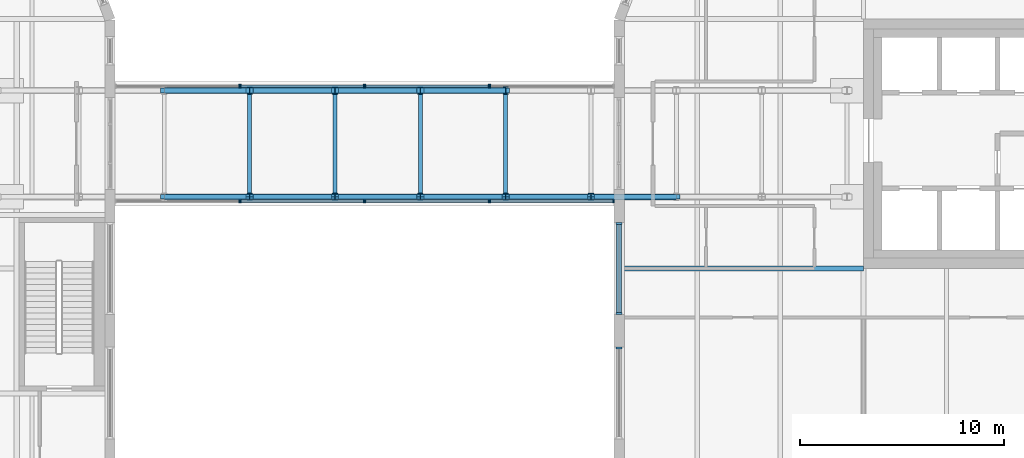
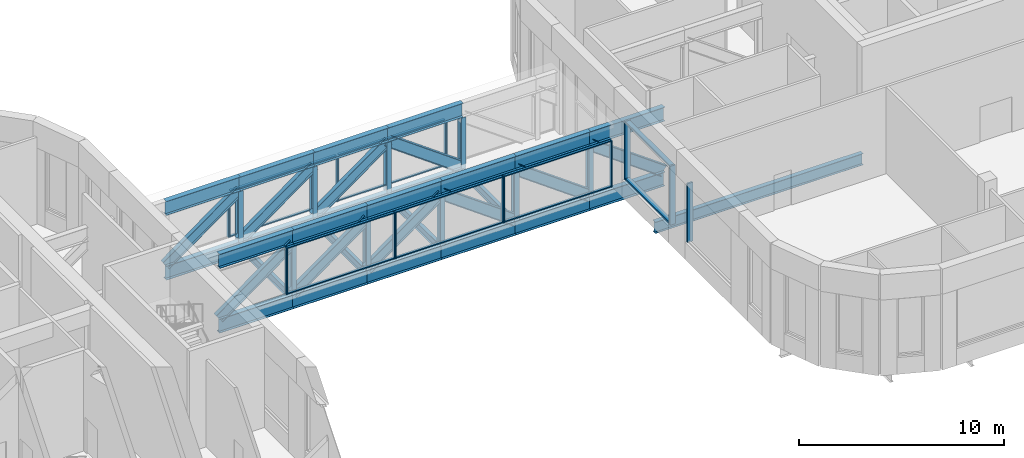
# One storey, part 10 of 36: 47 members, 25 beams, 10 elements without a shape of their own.
"""IFC4 building model written with IfcOpenShell, lengths in metres."""

from ifc_helpers import new_model, si_unit, direction, frame, origin, origin_2d, place, context, subcontext, project, spatial, rectangle, i_section, extrude, material, material_profile, profile_set, type_object, element, aggregate, save


model = new_model("IFC4")

# Units and contexts
model_context = context("Model", 3, precision=1e-05, world=origin(), true_north=direction((0.0, 1.0)))
body_context = subcontext(model_context, "Body", "Model", "MODEL_VIEW")
ifc_project = project(units=[si_unit("LENGTHUNIT", "METRE"), si_unit("AREAUNIT", "SQUARE_METRE"), si_unit("VOLUMEUNIT", "CUBIC_METRE"), si_unit("PLANEANGLEUNIT", "RADIAN"), si_unit("MASSUNIT", "GRAM", prefix="KILO")], contexts=[model_context])

# Site, building, storey
site_placement = place(None, origin())
site = spatial("IfcSite", under=ifc_project, at=site_placement, CompositionType="ELEMENT")
building_placement = place(site_placement, origin())
building = spatial("IfcBuilding", under=site, at=building_placement, Name="Tessera Gate Towers", CompositionType="ELEMENT")
storey_placement = place(building_placement, frame((0.0, 0.0, 106.60009765625)))
storey = spatial("IfcBuildingStorey", under=building, at=storey_placement, Name="L26", CompositionType="ELEMENT", Elevation=106.60009765625)

# Members
ifc_material_1 = material(Name="Steel 350W", Category="steel")
ifc_material_profile_1 = material_profile(ifc_material_1, i_section(OverallWidth=0.22998046875, OverallDepth=0.616943359375, WebThickness=0.01318359375, FlangeThickness=0.022216796875, at=origin_2d()), Name="W610x140")
ifc_profile_set_1 = profile_set([ifc_material_profile_1], Name="Steel 350W")
member_type_1 = type_object("IfcMemberType", Name="BRIDGE BRACE W610x140", PredefinedType="BRACE", material=ifc_profile_set_1)
for number, where, z_axis, x_axis, name in (
    (1, (63.39794921875, 40.10009765625, -0.25), (0.810374241265, 0.0, 0.585912612165), (0.0, 1.0, 0.0), "BR2 bridge truss G1 brace D3"),
    (2, (67.5732421875, 40.10009765625, -0.25), (0.810374241265, 0.0, 0.585912612165), (0.0, 1.0, 0.0), "BR2 bridge truss G1 brace D4"),
):
    element("IfcMember", number, at=place(storey_placement, frame(where, z_axis=z_axis, x_axis=x_axis)), inside=storey, type_object=member_type_1, Name=name, PredefinedType="BRACE", context=body_context, shape_type="SweptSolid", body=[
        extrude(i_section(OverallWidth=0.22998046875, OverallDepth=0.616943359375, WebThickness=0.01318359375, FlangeThickness=0.022216796875, at=origin_2d()), origin(), (0.0, 0.0, 1.0), 5.15234375),
    ])
member_1_placement = place(storey_placement, frame((71.74853515625, 40.10009765625, -0.25), z_axis=(0.810357973442, 0.0, 0.585935111491), x_axis=(0.0, 1.0, 0.0)))
element("IfcMember", 3, at=member_1_placement, inside=storey, type_object=member_type_1, Name="BR2 bridge truss G1 brace D5", PredefinedType="BRACE", context=body_context, shape_type="SweptSolid", body=[
    extrude(i_section(OverallWidth=0.22998046875, OverallDepth=0.616943359375, WebThickness=0.01318359375, FlangeThickness=0.022216796875, at=origin_2d()), origin(), (0.0, 0.0, 1.0), 5.152099609375),
])
member_2_placement = place(storey_placement, frame((80.09912109375, 40.10009765625, -0.25), z_axis=(-0.810390507214, 0.0, 0.585890114115), x_axis=(0.0, -1.0, 0.0)))
element("IfcMember", 4, at=member_2_placement, inside=storey, type_object=member_type_1, Name="BR2 bridge truss G1 brace D6", PredefinedType="BRACE", context=body_context, shape_type="SweptSolid", body=[
    extrude(i_section(OverallWidth=0.22998046875, OverallDepth=0.616943359375, WebThickness=0.01318359375, FlangeThickness=0.022216796875, at=origin_2d()), origin(), (0.0, 0.0, 1.0), 5.152587890625),
])
member_3_placement = place(storey_placement, frame((84.274169921875, 40.10009765625, -0.25), z_axis=(-0.810357973442, 0.0, 0.585935111491), x_axis=(0.0, -1.0, 0.0)))
element("IfcMember", 5, at=member_3_placement, inside=storey, type_object=member_type_1, Name="BR2 bridge truss G1 brace D7", PredefinedType="BRACE", context=body_context, shape_type="SweptSolid", body=[
    extrude(i_section(OverallWidth=0.22998046875, OverallDepth=0.616943359375, WebThickness=0.01318359375, FlangeThickness=0.022216796875, at=origin_2d()), origin(), (0.0, 0.0, 1.0), 5.152099609375),
])
for number, where, z_axis, x_axis, name in (
    (6, (88.449462890625, 40.10009765625, -0.25), (-0.810374241265, 0.0, 0.585912612165), (0.0, -1.0, 0.0), "BR2 bridge truss G1 brace D8"),
    (7, (63.39794921875, 45.300048828125, -0.25), (0.810374241265, 0.0, 0.585912612165), (0.0, 1.0, 0.0), "BR2 bridge truss G2 brace D3"),
    (8, (67.5732421875, 45.300048828125, -0.25), (0.810374241265, 0.0, 0.585912612165), (0.0, 1.0, 0.0), "BR2 bridge truss G2 brace D4"),
):
    element("IfcMember", number, at=place(storey_placement, frame(where, z_axis=z_axis, x_axis=x_axis)), inside=storey, type_object=member_type_1, Name=name, PredefinedType="BRACE", context=body_context, shape_type="SweptSolid", body=[
        extrude(i_section(OverallWidth=0.22998046875, OverallDepth=0.616943359375, WebThickness=0.01318359375, FlangeThickness=0.022216796875, at=origin_2d()), origin(), (0.0, 0.0, 1.0), 5.15234375),
    ])
member_4_placement = place(storey_placement, frame((71.74853515625, 45.300048828125, -0.25), z_axis=(0.810357973442, 0.0, 0.585935111491), x_axis=(0.0, 1.0, 0.0)))
element("IfcMember", 9, at=member_4_placement, inside=storey, type_object=member_type_1, Name="BR2 bridge truss G2 brace D5", PredefinedType="BRACE", context=body_context, shape_type="SweptSolid", body=[
    extrude(i_section(OverallWidth=0.22998046875, OverallDepth=0.616943359375, WebThickness=0.01318359375, FlangeThickness=0.022216796875, at=origin_2d()), origin(), (0.0, 0.0, 1.0), 5.152099609375),
])
member_5_placement = place(storey_placement, frame((80.09912109375, 45.300048828125, -0.25), z_axis=(-0.810390507214, 0.0, 0.585890114115), x_axis=(0.0, -1.0, 0.0)))
element("IfcMember", 10, at=member_5_placement, inside=storey, type_object=member_type_1, Name="BR2 bridge truss G2 brace D6", PredefinedType="BRACE", context=body_context, shape_type="SweptSolid", body=[
    extrude(i_section(OverallWidth=0.22998046875, OverallDepth=0.616943359375, WebThickness=0.01318359375, FlangeThickness=0.022216796875, at=origin_2d()), origin(), (0.0, 0.0, 1.0), 5.152587890625),
])

# Beams
ifc_material_2 = material(Name="Steel 350W", Category="steel")
ifc_material_profile_2 = material_profile(ifc_material_2, i_section(OverallWidth=0.2919921875, OverallDepth=0.8349609375, WebThickness=0.013916015625, FlangeThickness=0.018798828125, at=origin_2d()), Name="W840x176")
ifc_profile_set_2 = profile_set([ifc_material_profile_2], Name="Steel 350W")
beam_type_1 = type_object("IfcBeamType", Name="BRIDGE CHORD W840x176", PredefinedType="BEAM", material=ifc_profile_set_2)
for number, where, z_axis, x_axis, name in (
    (11, (63.39794921875, 40.10009765625, -0.66748046875), (1.0, 0.0, 0.0), (0.0, 1.0, 0.0), "BR2 bridge truss G1 bottom chord BC3"),
    (12, (63.39794921875, 40.10009765625, 3.1865234375), (1.0, 0.0, 0.0), (0.0, 1.0, 0.0), "BR2 bridge truss G1 top chord TC3"),
    (13, (67.5732421875, 40.10009765625, -0.66748046875), (1.0, 0.0, 0.0), (0.0, 1.0, 0.0), "BR2 bridge truss G1 bottom chord BC4"),
    (14, (67.5732421875, 40.10009765625, 3.1865234375), (1.0, 0.0, 0.0), (0.0, 1.0, 0.0), "BR2 bridge truss G1 top chord TC4"),
):
    element("IfcBeam", number, at=place(storey_placement, frame(where, z_axis=z_axis, x_axis=x_axis)), inside=storey, type_object=beam_type_1, Name=name, PredefinedType="BEAM", context=body_context, shape_type="SweptSolid", body=[
        extrude(i_section(OverallWidth=0.2919921875, OverallDepth=0.8349609375, WebThickness=0.013916015625, FlangeThickness=0.018798828125, at=origin_2d()), origin(), (0.0, 0.0, 1.0), 4.17529296875),
    ])
for number, where, z_axis, x_axis, name in (
    (15, (71.74853515625, 40.10009765625, -0.66748046875), (1.0, 0.0, 0.0), (0.0, 1.0, 0.0), "BR2 bridge truss G1 bottom chord BC5"),
    (16, (71.74853515625, 40.10009765625, 3.1865234375), (1.0, 0.0, 0.0), (0.0, 1.0, 0.0), "BR2 bridge truss G1 top chord TC5"),
):
    element("IfcBeam", number, at=place(storey_placement, frame(where, z_axis=z_axis, x_axis=x_axis)), inside=storey, type_object=beam_type_1, Name=name, PredefinedType="BEAM", context=body_context, shape_type="SweptSolid", body=[
        extrude(i_section(OverallWidth=0.2919921875, OverallDepth=0.8349609375, WebThickness=0.013916015625, FlangeThickness=0.018798828125, at=origin_2d()), origin(), (0.0, 0.0, 1.0), 4.175048828125),
    ])
for number, where, z_axis, x_axis, name in (
    (17, (75.923583984375, 40.10009765625, -0.66748046875), (1.0, 0.0, 0.0), (0.0, 1.0, 0.0), "BR2 bridge truss G1 bottom chord BC6"),
    (18, (75.923583984375, 40.10009765625, 3.1865234375), (1.0, 0.0, 0.0), (0.0, 1.0, 0.0), "BR2 bridge truss G1 top chord TC6"),
):
    element("IfcBeam", number, at=place(storey_placement, frame(where, z_axis=z_axis, x_axis=x_axis)), inside=storey, type_object=beam_type_1, Name=name, PredefinedType="BEAM", context=body_context, shape_type="SweptSolid", body=[
        extrude(i_section(OverallWidth=0.2919921875, OverallDepth=0.8349609375, WebThickness=0.013916015625, FlangeThickness=0.018798828125, at=origin_2d()), origin(), (0.0, 0.0, 1.0), 4.175537109375),
    ])
for number, where, z_axis, x_axis, name in (
    (19, (80.09912109375, 40.10009765625, -0.66748046875), (1.0, 0.0, 0.0), (0.0, 1.0, 0.0), "BR2 bridge truss G1 bottom chord BC7"),
    (20, (80.09912109375, 40.10009765625, 3.1865234375), (1.0, 0.0, 0.0), (0.0, 1.0, 0.0), "BR2 bridge truss G1 top chord TC7"),
):
    element("IfcBeam", number, at=place(storey_placement, frame(where, z_axis=z_axis, x_axis=x_axis)), inside=storey, type_object=beam_type_1, Name=name, PredefinedType="BEAM", context=body_context, shape_type="SweptSolid", body=[
        extrude(i_section(OverallWidth=0.2919921875, OverallDepth=0.8349609375, WebThickness=0.013916015625, FlangeThickness=0.018798828125, at=origin_2d()), origin(), (0.0, 0.0, 1.0), 4.175048828125),
    ])
for number, where, z_axis, x_axis, name in (
    (21, (84.274169921875, 40.10009765625, -0.66748046875), (1.0, 0.0, 0.0), (0.0, 1.0, 0.0), "BR2 bridge truss G1 bottom chord BC8"),
    (22, (84.274169921875, 40.10009765625, 3.1865234375), (1.0, 0.0, 0.0), (0.0, 1.0, 0.0), "BR2 bridge truss G1 top chord TC8"),
    (23, (63.39794921875, 45.300048828125, -0.66748046875), (1.0, 0.0, 0.0), (0.0, 1.0, 0.0), "BR2 bridge truss G2 bottom chord BC3"),
    (24, (63.39794921875, 45.300048828125, 3.1865234375), (1.0, 0.0, 0.0), (0.0, 1.0, 0.0), "BR2 bridge truss G2 top chord TC3"),
    (25, (67.5732421875, 45.300048828125, -0.66748046875), (1.0, 0.0, 0.0), (0.0, 1.0, 0.0), "BR2 bridge truss G2 bottom chord BC4"),
    (26, (67.5732421875, 45.300048828125, 3.1865234375), (1.0, 0.0, 0.0), (0.0, 1.0, 0.0), "BR2 bridge truss G2 top chord TC4"),
):
    element("IfcBeam", number, at=place(storey_placement, frame(where, z_axis=z_axis, x_axis=x_axis)), inside=storey, type_object=beam_type_1, Name=name, PredefinedType="BEAM", context=body_context, shape_type="SweptSolid", body=[
        extrude(i_section(OverallWidth=0.2919921875, OverallDepth=0.8349609375, WebThickness=0.013916015625, FlangeThickness=0.018798828125, at=origin_2d()), origin(), (0.0, 0.0, 1.0), 4.17529296875),
    ])
for number, where, z_axis, x_axis, name in (
    (27, (71.74853515625, 45.300048828125, -0.66748046875), (1.0, 0.0, 0.0), (0.0, 1.0, 0.0), "BR2 bridge truss G2 bottom chord BC5"),
    (28, (71.74853515625, 45.300048828125, 3.1865234375), (1.0, 0.0, 0.0), (0.0, 1.0, 0.0), "BR2 bridge truss G2 top chord TC5"),
):
    element("IfcBeam", number, at=place(storey_placement, frame(where, z_axis=z_axis, x_axis=x_axis)), inside=storey, type_object=beam_type_1, Name=name, PredefinedType="BEAM", context=body_context, shape_type="SweptSolid", body=[
        extrude(i_section(OverallWidth=0.2919921875, OverallDepth=0.8349609375, WebThickness=0.013916015625, FlangeThickness=0.018798828125, at=origin_2d()), origin(), (0.0, 0.0, 1.0), 4.175048828125),
    ])
for number, where, z_axis, x_axis, name in (
    (29, (75.923583984375, 45.300048828125, -0.66748046875), (1.0, 0.0, 0.0), (0.0, 1.0, 0.0), "BR2 bridge truss G2 bottom chord BC6"),
    (30, (75.923583984375, 45.300048828125, 3.1865234375), (1.0, 0.0, 0.0), (0.0, 1.0, 0.0), "BR2 bridge truss G2 top chord TC6"),
):
    element("IfcBeam", number, at=place(storey_placement, frame(where, z_axis=z_axis, x_axis=x_axis)), inside=storey, type_object=beam_type_1, Name=name, PredefinedType="BEAM", context=body_context, shape_type="SweptSolid", body=[
        extrude(i_section(OverallWidth=0.2919921875, OverallDepth=0.8349609375, WebThickness=0.013916015625, FlangeThickness=0.018798828125, at=origin_2d()), origin(), (0.0, 0.0, 1.0), 4.175537109375),
    ])
ifc_material_3 = material(Name="Steel 350W", Category="steel")
ifc_material_profile_3 = material_profile(ifc_material_3, i_section(OverallWidth=0.193115234375, OverallDepth=0.466064453125, WebThickness=0.011474609375, FlangeThickness=0.01904296875, at=origin_2d()), Name="W460x97")
ifc_profile_set_3 = profile_set([ifc_material_profile_3], Name="Steel 350W")
beam_type_2 = type_object("IfcBeamType", Name="BRIDGE CROSS BEAM W460x97", PredefinedType="BEAM", material=ifc_profile_set_3)
for number, where, z_axis, x_axis, name in (
    (31, (67.5732421875, 40.10693359375, -0.483154296875), (0.0, 1.0, 0.0), (-1.0, 0.0, 0.0), "BR2 bridge cross beam X3"),
    (32, (71.74853515625, 40.10693359375, -0.483154296875), (0.0, 1.0, 0.0), (-1.0, 0.0, 0.0), "BR2 bridge cross beam X4"),
    (33, (75.923583984375, 40.10693359375, -0.483154296875), (0.0, 1.0, 0.0), (-1.0, 0.0, 0.0), "BR2 bridge cross beam X5"),
    (34, (80.09912109375, 40.10693359375, -0.483154296875), (0.0, 1.0, 0.0), (-1.0, 0.0, 0.0), "BR2 bridge cross beam X6"),
):
    element("IfcBeam", number, at=place(storey_placement, frame(where, z_axis=z_axis, x_axis=x_axis)), inside=storey, type_object=beam_type_2, Name=name, PredefinedType="BEAM", context=body_context, shape_type="SweptSolid", body=[
        extrude(i_section(OverallWidth=0.193115234375, OverallDepth=0.466064453125, WebThickness=0.011474609375, FlangeThickness=0.01904296875, at=origin_2d()), origin(), (0.0, 0.0, 1.0), 5.18603515625),
    ])

# Members
ifc_material_4 = material(Name="Steel 350W", Category="steel")
ifc_material_profile_4 = material_profile(ifc_material_4, i_section(OverallWidth=0.2548828125, OverallDepth=0.35693359375, WebThickness=0.010498046875, FlangeThickness=0.018310546875, at=origin_2d()), Name="W360x101")
ifc_profile_set_4 = profile_set([ifc_material_profile_4], Name="Steel 350W")
member_type_2 = type_object("IfcMemberType", Name="BRIDGE POST W360x101", PredefinedType="POST", material=ifc_profile_set_4)
for number, where, z_axis, x_axis, name in (
    (35, (67.5732421875, 40.10009765625, -0.25), (0.0, 0.0, 1.0), (1.0, 0.0, 0.0), "BR2 bridge truss G1 post V3"),
    (36, (71.74853515625, 40.10009765625, -0.25), (0.0, 0.0, 1.0), (1.0, 0.0, 0.0), "BR2 bridge truss G1 post V4"),
    (37, (75.923583984375, 40.10009765625, -0.25), (0.0, 0.0, 1.0), (1.0, 0.0, 0.0), "BR2 bridge truss G1 post V5"),
    (38, (80.09912109375, 40.10009765625, -0.25), (0.0, 0.0, 1.0), (1.0, 0.0, 0.0), "BR2 bridge truss G1 post V6"),
    (39, (84.274169921875, 40.10009765625, -0.25), (0.0, 0.0, 1.0), (1.0, 0.0, 0.0), "BR2 bridge truss G1 post V7"),
    (40, (67.5732421875, 45.300048828125, -0.25), (0.0, 0.0, 1.0), (1.0, 0.0, 0.0), "BR2 bridge truss G2 post V3"),
    (41, (71.74853515625, 45.300048828125, -0.25), (0.0, 0.0, 1.0), (1.0, 0.0, 0.0), "BR2 bridge truss G2 post V4"),
    (42, (75.923583984375, 45.300048828125, -0.25), (0.0, 0.0, 1.0), (1.0, 0.0, 0.0), "BR2 bridge truss G2 post V5"),
    (43, (80.09912109375, 45.300048828125, -0.25), (0.0, 0.0, 1.0), (1.0, 0.0, 0.0), "BR2 bridge truss G2 post V6"),
):
    element("IfcMember", number, at=place(storey_placement, frame(where, z_axis=z_axis, x_axis=x_axis)), inside=storey, type_object=member_type_2, Name=name, PredefinedType="POST", context=body_context, shape_type="SweptSolid", body=[
        extrude(i_section(OverallWidth=0.2548828125, OverallDepth=0.35693359375, WebThickness=0.010498046875, FlangeThickness=0.018310546875, at=origin_2d()), origin(), (0.0, 0.0, 1.0), 3.018798828125),
    ])

# Beam
ifc_material_5 = material(Name="Steel 350W", Category="steel")
ifc_material_profile_5 = material_profile(ifc_material_5, i_section(OverallWidth=0.2529296875, OverallDepth=0.677978515625, WebThickness=0.01171875, FlangeThickness=0.016357421875, at=origin_2d()), Name="W690x125")
ifc_profile_set_5 = profile_set([ifc_material_profile_5], Name="Steel 350W")
beam_type_3 = type_object("IfcBeamType", Name="FLOOR GIRDER W690x125", PredefinedType="BEAM", material=ifc_profile_set_5)
beam_placement = place(storey_placement, frame((85.89892578125, 36.60009765625, -0.589111328125), z_axis=(1.0, 0.0, 0.0), x_axis=(0.0, 1.0, 0.0)))
element("IfcBeam", 44, at=beam_placement, inside=storey, type_object=beam_type_3, Name="T2-GD-L26-3482", PredefinedType="BEAM", context=body_context, shape_type="SweptSolid", body=[
    extrude(i_section(OverallWidth=0.2529296875, OverallDepth=0.677978515625, WebThickness=0.01171875, FlangeThickness=0.016357421875, at=origin_2d()), origin(), (0.0, 0.0, 1.0), 11.7001953125),
])

# Curtain wall, members
ifc_material_6 = material(Name="Aluminium frame", Category="aluminium")
curtain_wall_type_1 = type_object("IfcCurtainWallType", Name="CW-S3 amenity floor glazing", PredefinedType="NOTDEFINED", material=ifc_material_6)
curtain_wall_1_placement = place(storey_placement, origin())
curtain_wall_1 = element("IfcCurtainWall", 45, at=curtain_wall_1_placement, inside=storey, type_object=curtain_wall_type_1, Name="Curtain wall amenity floor glazing 0141", PredefinedType="NOTDEFINED")
ifc_material_7 = material(Name="Aluminium frame", Category="aluminium")
ifc_material_profile_6 = material_profile(ifc_material_7, rectangle(XDim=0.10009765625, YDim=0.300048828125, at=origin_2d()), Name="AL 100x300")
ifc_profile_set_6 = profile_set([ifc_material_profile_6], Name="Aluminium frame")
member_type_3 = type_object("IfcMemberType", Name="MU-S3 mullion 100x300", PredefinedType="MULLION", material=ifc_profile_set_6)
member_6_placement = place(storey_placement, frame((85.64990234375, 38.800048828125, 1.0), z_axis=(0.0, 0.0, 1.0), x_axis=(0.0, -1.0, 0.0)))
member_6 = element("IfcMember", 46, at=member_6_placement, type_object=member_type_3, Name="T2-CW3-0141 mullion 1", PredefinedType="MULLION", context=body_context, shape_type="SweptSolid", body=[
    extrude(rectangle(XDim=0.10009765625, YDim=0.300048828125, at=origin_2d()), origin(), (0.0, 0.0, 1.0), 3.5),
])
member_7_placement = place(storey_placement, frame((85.64990234375, 34.39990234375, 1.0), z_axis=(0.0, 0.0, 1.0), x_axis=(0.0, -1.0, 0.0)))
member_7 = element("IfcMember", 47, at=member_7_placement, type_object=member_type_3, Name="T2-CW3-0141 mullion 2", PredefinedType="MULLION", context=body_context, shape_type="SweptSolid", body=[
    extrude(rectangle(XDim=0.10009765625, YDim=0.300048828125, at=origin_2d()), origin(), (0.0, 0.0, 1.0), 3.5),
])

# Curtain wall, member
curtain_wall_2_placement = place(storey_placement, origin())
curtain_wall_2 = element("IfcCurtainWall", 48, at=curtain_wall_2_placement, inside=storey, type_object=curtain_wall_type_1, Name="Curtain wall amenity floor glazing 0142", PredefinedType="NOTDEFINED")
member_8_placement = place(storey_placement, frame((85.64990234375, 32.699951171875, 1.0), z_axis=(0.0, 0.0, 1.0), x_axis=(0.0, -1.0, 0.0)))
member_8 = element("IfcMember", 49, at=member_8_placement, type_object=member_type_3, Name="T2-CW3-0142 mullion 1", PredefinedType="MULLION", context=body_context, shape_type="SweptSolid", body=[
    extrude(rectangle(XDim=0.10009765625, YDim=0.300048828125, at=origin_2d()), origin(), (0.0, 0.0, 1.0), 3.5),
])
aggregate(curtain_wall_2, [member_8])

ifc_material_8 = material(Name="Aluminium frame", Category="aluminium")
curtain_wall_type_2 = type_object("IfcCurtainWallType", Name="CW-S5 bridge enclosure", PredefinedType="NOTDEFINED", material=ifc_material_8)
curtain_wall_3_placement = place(storey_placement, origin())
curtain_wall_3 = element("IfcCurtainWall", 50, at=curtain_wall_3_placement, inside=storey, type_object=curtain_wall_type_2, Name="Curtain wall bridge enclosure 0226", PredefinedType="NOTDEFINED")
ifc_material_9 = material(Name="Aluminium frame", Category="aluminium")
ifc_material_profile_7 = material_profile(ifc_material_9, rectangle(XDim=0.06005859375, YDim=0.179931640625, at=origin_2d()), Name="AL 60x180")
ifc_profile_set_7 = profile_set([ifc_material_profile_7], Name="Aluminium frame")
member_type_4 = type_object("IfcMemberType", Name="MU-S5 mullion 60x180", PredefinedType="MULLION", material=ifc_profile_set_7)
member_9_placement = place(storey_placement, frame((67.070068359375, 39.89208984375, 0.0), z_axis=(0.0, 0.0, 1.0), x_axis=(1.0, 0.0, 0.0)))
member_9 = element("IfcMember", 51, at=member_9_placement, type_object=member_type_4, Name="BR2-CW5-0226 mullion 2", PredefinedType="MULLION", context=body_context, shape_type="SweptSolid", body=[
    extrude(rectangle(XDim=0.06005859375, YDim=0.179931640625, at=origin_2d()), origin(), (0.0, 0.0, 1.0), 2.768798828125),
])
aggregate(curtain_wall_3, [member_9])

# Curtain wall, members
curtain_wall_4_placement = place(storey_placement, origin())
curtain_wall_4 = element("IfcCurtainWall", 52, at=curtain_wall_4_placement, inside=storey, type_object=curtain_wall_type_2, Name="Curtain wall bridge enclosure 0227", PredefinedType="NOTDEFINED")
member_10_placement = place(storey_placement, frame((67.1298828125, 39.89208984375, 0.0), z_axis=(0.0, 0.0, 1.0), x_axis=(1.0, 0.0, 0.0)))
member_10 = element("IfcMember", 53, at=member_10_placement, type_object=member_type_4, Name="BR2-CW5-0227 mullion 1", PredefinedType="MULLION", context=body_context, shape_type="SweptSolid", body=[
    extrude(rectangle(XDim=0.06005859375, YDim=0.179931640625, at=origin_2d()), origin(), (0.0, 0.0, 1.0), 2.768798828125),
])
member_11_placement = place(storey_placement, frame((73.169921875, 39.89208984375, 0.0), z_axis=(0.0, 0.0, 1.0), x_axis=(1.0, 0.0, 0.0)))
member_11 = element("IfcMember", 54, at=member_11_placement, type_object=member_type_4, Name="BR2-CW5-0227 mullion 2", PredefinedType="MULLION", context=body_context, shape_type="SweptSolid", body=[
    extrude(rectangle(XDim=0.06005859375, YDim=0.179931640625, at=origin_2d()), origin(), (0.0, 0.0, 1.0), 2.768798828125),
])

curtain_wall_5_placement = place(storey_placement, origin())
curtain_wall_5 = element("IfcCurtainWall", 55, at=curtain_wall_5_placement, inside=storey, type_object=curtain_wall_type_2, Name="Curtain wall bridge enclosure 0228", PredefinedType="NOTDEFINED")
member_12_placement = place(storey_placement, frame((73.22998046875, 39.89208984375, 0.0), z_axis=(0.0, 0.0, 1.0), x_axis=(1.0, 0.0, 0.0)))
member_12 = element("IfcMember", 56, at=member_12_placement, type_object=member_type_4, Name="BR2-CW5-0228 mullion 1", PredefinedType="MULLION", context=body_context, shape_type="SweptSolid", body=[
    extrude(rectangle(XDim=0.06005859375, YDim=0.179931640625, at=origin_2d()), origin(), (0.0, 0.0, 1.0), 2.768798828125),
])
member_13_placement = place(storey_placement, frame((79.27001953125, 39.89208984375, 0.0), z_axis=(0.0, 0.0, 1.0), x_axis=(1.0, 0.0, 0.0)))
member_13 = element("IfcMember", 57, at=member_13_placement, type_object=member_type_4, Name="BR2-CW5-0228 mullion 2", PredefinedType="MULLION", context=body_context, shape_type="SweptSolid", body=[
    extrude(rectangle(XDim=0.06005859375, YDim=0.179931640625, at=origin_2d()), origin(), (0.0, 0.0, 1.0), 2.768798828125),
])

curtain_wall_6_placement = place(storey_placement, origin())
curtain_wall_6 = element("IfcCurtainWall", 58, at=curtain_wall_6_placement, inside=storey, type_object=curtain_wall_type_2, Name="Curtain wall bridge enclosure 0229", PredefinedType="NOTDEFINED")
member_14_placement = place(storey_placement, frame((79.330078125, 39.89208984375, 0.0), z_axis=(0.0, 0.0, 1.0), x_axis=(1.0, 0.0, 0.0)))
member_14 = element("IfcMember", 59, at=member_14_placement, type_object=member_type_4, Name="BR2-CW5-0229 mullion 1", PredefinedType="MULLION", context=body_context, shape_type="SweptSolid", body=[
    extrude(rectangle(XDim=0.06005859375, YDim=0.179931640625, at=origin_2d()), origin(), (0.0, 0.0, 1.0), 2.768798828125),
])
member_15_placement = place(storey_placement, frame((85.3701171875, 39.89208984375, 0.0), z_axis=(0.0, 0.0, 1.0), x_axis=(1.0, 0.0, 0.0)))
member_15 = element("IfcMember", 60, at=member_15_placement, type_object=member_type_4, Name="BR2-CW5-0229 mullion 2", PredefinedType="MULLION", context=body_context, shape_type="SweptSolid", body=[
    extrude(rectangle(XDim=0.06005859375, YDim=0.179931640625, at=origin_2d()), origin(), (0.0, 0.0, 1.0), 2.768798828125),
])

# Curtain wall, member
curtain_wall_7_placement = place(storey_placement, origin())
curtain_wall_7 = element("IfcCurtainWall", 61, at=curtain_wall_7_placement, inside=storey, type_object=curtain_wall_type_2, Name="Curtain wall bridge enclosure 0230", PredefinedType="NOTDEFINED")
member_16_placement = place(storey_placement, frame((67.070068359375, 45.508056640625, 0.0), z_axis=(0.0, 0.0, 1.0), x_axis=(1.0, 0.0, 0.0)))
member_16 = element("IfcMember", 62, at=member_16_placement, type_object=member_type_4, Name="BR2-CW5-0230 mullion 2", PredefinedType="MULLION", context=body_context, shape_type="SweptSolid", body=[
    extrude(rectangle(XDim=0.06005859375, YDim=0.179931640625, at=origin_2d()), origin(), (0.0, 0.0, 1.0), 2.768798828125),
])
aggregate(curtain_wall_7, [member_16])

# Curtain wall, members
curtain_wall_8_placement = place(storey_placement, origin())
curtain_wall_8 = element("IfcCurtainWall", 63, at=curtain_wall_8_placement, inside=storey, type_object=curtain_wall_type_2, Name="Curtain wall bridge enclosure 0231", PredefinedType="NOTDEFINED")
member_17_placement = place(storey_placement, frame((67.1298828125, 45.508056640625, 0.0), z_axis=(0.0, 0.0, 1.0), x_axis=(1.0, 0.0, 0.0)))
member_17 = element("IfcMember", 64, at=member_17_placement, type_object=member_type_4, Name="BR2-CW5-0231 mullion 1", PredefinedType="MULLION", context=body_context, shape_type="SweptSolid", body=[
    extrude(rectangle(XDim=0.06005859375, YDim=0.179931640625, at=origin_2d()), origin(), (0.0, 0.0, 1.0), 2.768798828125),
])
member_18_placement = place(storey_placement, frame((73.169921875, 45.508056640625, 0.0), z_axis=(0.0, 0.0, 1.0), x_axis=(1.0, 0.0, 0.0)))
member_18 = element("IfcMember", 65, at=member_18_placement, type_object=member_type_4, Name="BR2-CW5-0231 mullion 2", PredefinedType="MULLION", context=body_context, shape_type="SweptSolid", body=[
    extrude(rectangle(XDim=0.06005859375, YDim=0.179931640625, at=origin_2d()), origin(), (0.0, 0.0, 1.0), 2.768798828125),
])

curtain_wall_9_placement = place(storey_placement, origin())
curtain_wall_9 = element("IfcCurtainWall", 66, at=curtain_wall_9_placement, inside=storey, type_object=curtain_wall_type_2, Name="Curtain wall bridge enclosure 0232", PredefinedType="NOTDEFINED")
member_19_placement = place(storey_placement, frame((73.22998046875, 45.508056640625, 0.0), z_axis=(0.0, 0.0, 1.0), x_axis=(1.0, 0.0, 0.0)))
member_19 = element("IfcMember", 67, at=member_19_placement, type_object=member_type_4, Name="BR2-CW5-0232 mullion 1", PredefinedType="MULLION", context=body_context, shape_type="SweptSolid", body=[
    extrude(rectangle(XDim=0.06005859375, YDim=0.179931640625, at=origin_2d()), origin(), (0.0, 0.0, 1.0), 2.768798828125),
])
member_20_placement = place(storey_placement, frame((79.27001953125, 45.508056640625, 0.0), z_axis=(0.0, 0.0, 1.0), x_axis=(1.0, 0.0, 0.0)))
member_20 = element("IfcMember", 68, at=member_20_placement, type_object=member_type_4, Name="BR2-CW5-0232 mullion 2", PredefinedType="MULLION", context=body_context, shape_type="SweptSolid", body=[
    extrude(rectangle(XDim=0.06005859375, YDim=0.179931640625, at=origin_2d()), origin(), (0.0, 0.0, 1.0), 2.768798828125),
])

# Curtain wall, member
curtain_wall_10_placement = place(storey_placement, origin())
curtain_wall_10 = element("IfcCurtainWall", 69, at=curtain_wall_10_placement, inside=storey, type_object=curtain_wall_type_2, Name="Curtain wall bridge enclosure 0233", PredefinedType="NOTDEFINED")
member_21_placement = place(storey_placement, frame((79.330078125, 45.508056640625, 0.0), z_axis=(0.0, 0.0, 1.0), x_axis=(1.0, 0.0, 0.0)))
member_21 = element("IfcMember", 70, at=member_21_placement, type_object=member_type_4, Name="BR2-CW5-0233 mullion 1", PredefinedType="MULLION", context=body_context, shape_type="SweptSolid", body=[
    extrude(rectangle(XDim=0.06005859375, YDim=0.179931640625, at=origin_2d()), origin(), (0.0, 0.0, 1.0), 2.768798828125),
])
aggregate(curtain_wall_10, [member_21])

# Member
ifc_material_10 = material(Name="Aluminium frame", Category="aluminium")
ifc_material_profile_8 = material_profile(ifc_material_10, rectangle(XDim=0.25, YDim=0.10009765625, at=origin_2d()), Name="AL 100x250")
ifc_profile_set_8 = profile_set([ifc_material_profile_8], Name="Aluminium frame")
member_type_5 = type_object("IfcMemberType", Name="TR-S3 transom 100x250", PredefinedType="USERDEFINED", material=ifc_profile_set_8)
member_22_placement = place(storey_placement, frame((85.64990234375, 38.75, 1.0498046875), z_axis=(0.0, -1.0, 0.0), x_axis=(1.0, 0.0, 0.0)))
member_22 = element("IfcMember", 71, at=member_22_placement, type_object=member_type_5, Name="T2-CW3-0141 transom 1.1", ObjectType="TRANSOM", PredefinedType="USERDEFINED", context=body_context, shape_type="SweptSolid", body=[
    extrude(rectangle(XDim=0.25, YDim=0.10009765625, at=origin_2d()), origin(), (0.0, 0.0, 1.0), 4.300048828125),
])

member_23_placement = place(storey_placement, frame((85.64990234375, 38.75, 4.449951171875), z_axis=(0.0, -1.0, 0.0), x_axis=(1.0, 0.0, 0.0)))
member_23 = element("IfcMember", 72, at=member_23_placement, type_object=member_type_5, Name="T2-CW3-0141 transom 1.2", ObjectType="TRANSOM", PredefinedType="USERDEFINED", context=body_context, shape_type="SweptSolid", body=[
    extrude(rectangle(XDim=0.25, YDim=0.10009765625, at=origin_2d()), origin(), (0.0, 0.0, 1.0), 4.300048828125),
])

aggregate(curtain_wall_1, [member_6, member_7, member_22, member_23])

ifc_material_11 = material(Name="Aluminium frame", Category="aluminium")
ifc_material_profile_9 = material_profile(ifc_material_11, rectangle(XDim=0.139892578125, YDim=0.06005859375, at=origin_2d()), Name="AL 60x140")
ifc_profile_set_9 = profile_set([ifc_material_profile_9], Name="Aluminium frame")
member_type_6 = type_object("IfcMemberType", Name="TR-S5 transom 60x140", PredefinedType="USERDEFINED", material=ifc_profile_set_9)
member_24_placement = place(storey_placement, frame((67.159912109375, 39.89208984375, 0.02978515625), z_axis=(1.0, 0.0, 0.0), x_axis=(0.0, 1.0, 0.0)))
member_24 = element("IfcMember", 73, at=member_24_placement, type_object=member_type_6, Name="BR2-CW5-0227 transom 1.1", ObjectType="TRANSOM", PredefinedType="USERDEFINED", context=body_context, shape_type="SweptSolid", body=[
    extrude(rectangle(XDim=0.139892578125, YDim=0.06005859375, at=origin_2d()), origin(), (0.0, 0.0, 1.0), 5.97998046875),
])

member_25_placement = place(storey_placement, frame((67.159912109375, 39.89208984375, 2.739013671875), z_axis=(1.0, 0.0, 0.0), x_axis=(0.0, 1.0, 0.0)))
member_25 = element("IfcMember", 74, at=member_25_placement, type_object=member_type_6, Name="BR2-CW5-0227 transom 1.2", ObjectType="TRANSOM", PredefinedType="USERDEFINED", context=body_context, shape_type="SweptSolid", body=[
    extrude(rectangle(XDim=0.139892578125, YDim=0.06005859375, at=origin_2d()), origin(), (0.0, 0.0, 1.0), 5.97998046875),
])

aggregate(curtain_wall_4, [member_10, member_11, member_24, member_25])

member_26_placement = place(storey_placement, frame((73.260009765625, 39.89208984375, 0.02978515625), z_axis=(1.0, 0.0, 0.0), x_axis=(0.0, 1.0, 0.0)))
member_26 = element("IfcMember", 75, at=member_26_placement, type_object=member_type_6, Name="BR2-CW5-0228 transom 1.1", ObjectType="TRANSOM", PredefinedType="USERDEFINED", context=body_context, shape_type="SweptSolid", body=[
    extrude(rectangle(XDim=0.139892578125, YDim=0.06005859375, at=origin_2d()), origin(), (0.0, 0.0, 1.0), 5.97998046875),
])

member_27_placement = place(storey_placement, frame((73.260009765625, 39.89208984375, 2.739013671875), z_axis=(1.0, 0.0, 0.0), x_axis=(0.0, 1.0, 0.0)))
member_27 = element("IfcMember", 76, at=member_27_placement, type_object=member_type_6, Name="BR2-CW5-0228 transom 1.2", ObjectType="TRANSOM", PredefinedType="USERDEFINED", context=body_context, shape_type="SweptSolid", body=[
    extrude(rectangle(XDim=0.139892578125, YDim=0.06005859375, at=origin_2d()), origin(), (0.0, 0.0, 1.0), 5.97998046875),
])

aggregate(curtain_wall_5, [member_12, member_13, member_26, member_27])

member_28_placement = place(storey_placement, frame((79.360107421875, 39.89208984375, 0.02978515625), z_axis=(1.0, 0.0, 0.0), x_axis=(0.0, 1.0, 0.0)))
member_28 = element("IfcMember", 77, at=member_28_placement, type_object=member_type_6, Name="BR2-CW5-0229 transom 1.1", ObjectType="TRANSOM", PredefinedType="USERDEFINED", context=body_context, shape_type="SweptSolid", body=[
    extrude(rectangle(XDim=0.139892578125, YDim=0.06005859375, at=origin_2d()), origin(), (0.0, 0.0, 1.0), 5.97998046875),
])

member_29_placement = place(storey_placement, frame((79.360107421875, 39.89208984375, 2.739013671875), z_axis=(1.0, 0.0, 0.0), x_axis=(0.0, 1.0, 0.0)))
member_29 = element("IfcMember", 78, at=member_29_placement, type_object=member_type_6, Name="BR2-CW5-0229 transom 1.2", ObjectType="TRANSOM", PredefinedType="USERDEFINED", context=body_context, shape_type="SweptSolid", body=[
    extrude(rectangle(XDim=0.139892578125, YDim=0.06005859375, at=origin_2d()), origin(), (0.0, 0.0, 1.0), 5.97998046875),
])

aggregate(curtain_wall_6, [member_14, member_15, member_28, member_29])

member_30_placement = place(storey_placement, frame((67.159912109375, 45.508056640625, 0.02978515625), z_axis=(1.0, 0.0, 0.0), x_axis=(0.0, 1.0, 0.0)))
member_30 = element("IfcMember", 79, at=member_30_placement, type_object=member_type_6, Name="BR2-CW5-0231 transom 1.1", ObjectType="TRANSOM", PredefinedType="USERDEFINED", context=body_context, shape_type="SweptSolid", body=[
    extrude(rectangle(XDim=0.139892578125, YDim=0.06005859375, at=origin_2d()), origin(), (0.0, 0.0, 1.0), 5.97998046875),
])

member_31_placement = place(storey_placement, frame((67.159912109375, 45.508056640625, 2.739013671875), z_axis=(1.0, 0.0, 0.0), x_axis=(0.0, 1.0, 0.0)))
member_31 = element("IfcMember", 80, at=member_31_placement, type_object=member_type_6, Name="BR2-CW5-0231 transom 1.2", ObjectType="TRANSOM", PredefinedType="USERDEFINED", context=body_context, shape_type="SweptSolid", body=[
    extrude(rectangle(XDim=0.139892578125, YDim=0.06005859375, at=origin_2d()), origin(), (0.0, 0.0, 1.0), 5.97998046875),
])

aggregate(curtain_wall_8, [member_17, member_18, member_30, member_31])

member_32_placement = place(storey_placement, frame((73.260009765625, 45.508056640625, 0.02978515625), z_axis=(1.0, 0.0, 0.0), x_axis=(0.0, 1.0, 0.0)))
member_32 = element("IfcMember", 81, at=member_32_placement, type_object=member_type_6, Name="BR2-CW5-0232 transom 1.1", ObjectType="TRANSOM", PredefinedType="USERDEFINED", context=body_context, shape_type="SweptSolid", body=[
    extrude(rectangle(XDim=0.139892578125, YDim=0.06005859375, at=origin_2d()), origin(), (0.0, 0.0, 1.0), 5.97998046875),
])

member_33_placement = place(storey_placement, frame((73.260009765625, 45.508056640625, 2.739013671875), z_axis=(1.0, 0.0, 0.0), x_axis=(0.0, 1.0, 0.0)))
member_33 = element("IfcMember", 82, at=member_33_placement, type_object=member_type_6, Name="BR2-CW5-0232 transom 1.2", ObjectType="TRANSOM", PredefinedType="USERDEFINED", context=body_context, shape_type="SweptSolid", body=[
    extrude(rectangle(XDim=0.139892578125, YDim=0.06005859375, at=origin_2d()), origin(), (0.0, 0.0, 1.0), 5.97998046875),
])

aggregate(curtain_wall_9, [member_19, member_20, member_32, member_33])

save(model, "model.ifc")
